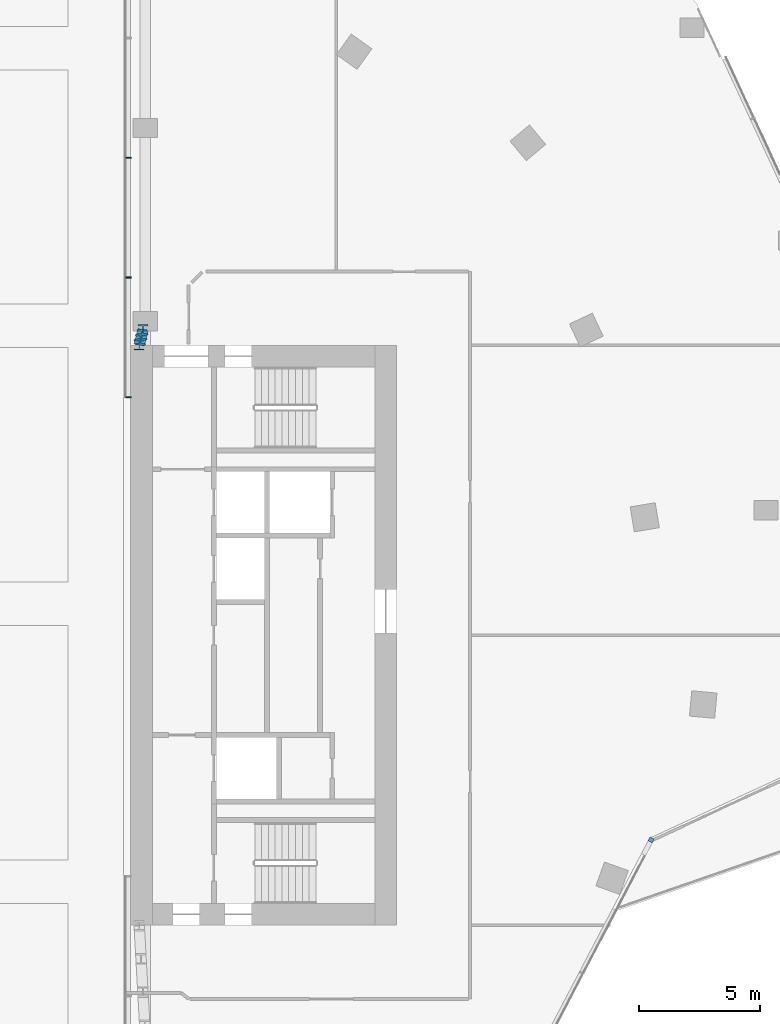
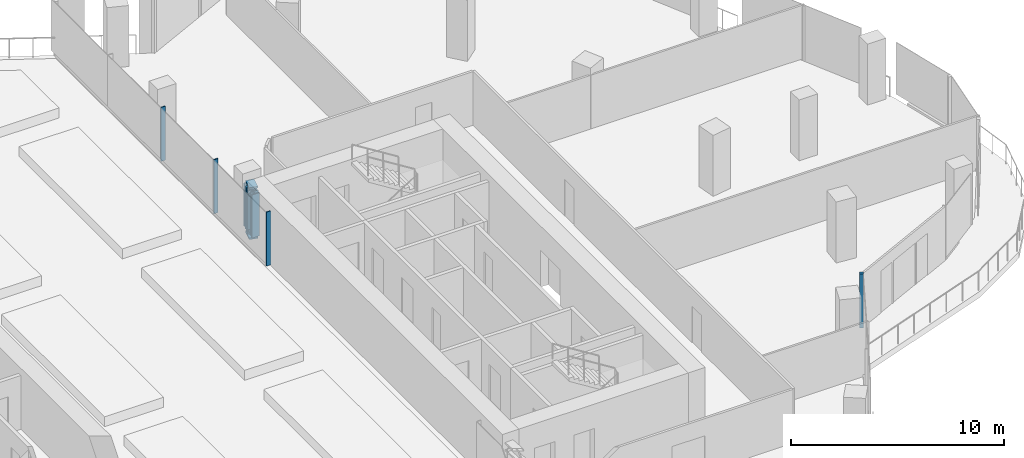
# One storey, part 7 of 26: 10 members, 2 elements without a shape of their own.
"""IFC4 building model written with IfcOpenShell, lengths in metres."""

from ifc_helpers import new_model, si_unit, direction, frame, origin, origin_2d, place, context, subcontext, project, spatial, rectangle, i_section, extrude, material, material_profile, profile_set, type_object, element, aggregate, save


model = new_model("IFC4")

# Units and contexts
model_context = context("Model", 3, precision=1e-05, world=origin(), true_north=direction((0.0, 1.0)))
body_context = subcontext(model_context, "Body", "Model", "MODEL_VIEW")
ifc_project = project(units=[si_unit("LENGTHUNIT", "METRE"), si_unit("AREAUNIT", "SQUARE_METRE"), si_unit("VOLUMEUNIT", "CUBIC_METRE"), si_unit("PLANEANGLEUNIT", "RADIAN"), si_unit("MASSUNIT", "GRAM", prefix="KILO")], contexts=[model_context])

# Site, building, storey
site_placement = place(None, origin())
site = spatial("IfcSite", under=ifc_project, at=site_placement, CompositionType="ELEMENT")
building_placement = place(site_placement, origin())
building = spatial("IfcBuilding", under=site, at=building_placement, Name="Orlundy Tower", CompositionType="ELEMENT")
storey_placement = place(building_placement, frame((0.0, 0.0, 253.5)))
storey = spatial("IfcBuildingStorey", under=building, at=storey_placement, Name="L67", CompositionType="ELEMENT", Elevation=253.5)

# Curtain wall, member
ifc_material_1 = material(Name="Aluminium bronze anodised", Category="aluminium")
curtain_wall_type = type_object("IfcCurtainWallType", Name="CW1 wall", PredefinedType="NOTDEFINED", material=ifc_material_1)
curtain_wall_1_placement = place(storey_placement, origin())
curtain_wall_1 = element("IfcCurtainWall", 1, at=curtain_wall_1_placement, inside=storey, type_object=curtain_wall_type, Name="CW1 run 111", PredefinedType="NOTDEFINED")
ifc_material_2 = material(Name="Aluminium bronze anodised", Category="aluminium")
ifc_material_profile_1 = material_profile(ifc_material_2, rectangle(XDim=0.179931640625, YDim=0.179931640625, at=origin_2d()), Name="CW1 corner post 180x180")
ifc_profile_set_1 = profile_set([ifc_material_profile_1], Name="Aluminium bronze anodised")
member_type_1 = type_object("IfcMemberType", Name="CW1 corner post 180x180", PredefinedType="MULLION", material=ifc_profile_set_1)
member_1_placement = place(storey_placement, frame((29.534423828125, -8.46875, 0.0), z_axis=(0.0, 0.0, 1.0), x_axis=(0.885660617608, -0.464333145939, 0.0)))
member_1 = element("IfcMember", 2, at=member_1_placement, type_object=member_type_1, Name="CW1 mullion 16", PredefinedType="MULLION", context=body_context, shape_type="SweptSolid", body=[
    extrude(rectangle(XDim=0.179931640625, YDim=0.179931640625, at=origin_2d()), origin(), (0.0, 0.0, 1.0), 3.10009765625),
])
aggregate(curtain_wall_1, [member_1])

# Curtain wall, members
curtain_wall_2_placement = place(storey_placement, origin())
curtain_wall_2 = element("IfcCurtainWall", 3, at=curtain_wall_2_placement, inside=storey, type_object=curtain_wall_type, Name="CW1 run 118", PredefinedType="NOTDEFINED")
ifc_material_3 = material(Name="Aluminium bronze anodised", Category="aluminium")
ifc_material_profile_2 = material_profile(ifc_material_3, rectangle(XDim=0.239990234375, YDim=0.050048828125, at=origin_2d()), Name="CW6 mullion 50x240")
ifc_profile_set_2 = profile_set([ifc_material_profile_2], Name="Aluminium bronze anodised")
member_type_2 = type_object("IfcMemberType", Name="CW6 mullion 50x240", PredefinedType="MULLION", material=ifc_profile_set_2)
member_2_placement = place(storey_placement, frame((7.909912109375, 9.8515625, 0.0), z_axis=(0.0, 0.0, 1.0), x_axis=(-1.0, 0.0, 0.0)))
member_2 = element("IfcMember", 4, at=member_2_placement, type_object=member_type_2, Name="CW6 mullion 36", PredefinedType="MULLION", context=body_context, shape_type="SweptSolid", body=[
    extrude(rectangle(XDim=0.239990234375, YDim=0.050048828125, at=origin_2d()), origin(), (0.0, 0.0, 1.0), 3.10009765625),
])
member_3_placement = place(storey_placement, frame((7.909912109375, 14.808349609375, 0.0), z_axis=(0.0, 0.0, 1.0), x_axis=(-1.0, 0.0, 0.0)))
member_3 = element("IfcMember", 5, at=member_3_placement, type_object=member_type_2, Name="CW6 mullion 37", PredefinedType="MULLION", context=body_context, shape_type="SweptSolid", body=[
    extrude(rectangle(XDim=0.239990234375, YDim=0.050048828125, at=origin_2d()), origin(), (0.0, 0.0, 1.0), 3.10009765625),
])
member_4_placement = place(storey_placement, frame((7.909912109375, 19.765380859375, 0.0), z_axis=(0.0, 0.0, 1.0), x_axis=(-1.0, 0.0, 0.0)))
member_4 = element("IfcMember", 6, at=member_4_placement, type_object=member_type_2, Name="CW6 mullion 38", PredefinedType="MULLION", context=body_context, shape_type="SweptSolid", body=[
    extrude(rectangle(XDim=0.239990234375, YDim=0.050048828125, at=origin_2d()), origin(), (0.0, 0.0, 1.0), 3.10009765625),
])
aggregate(curtain_wall_2, [member_2, member_3, member_4])

# Members
ifc_material_4 = material(Name="Steel ASTM A992 Gr 50", Category="steel")
ifc_material_profile_3 = material_profile(ifc_material_4, i_section(OverallWidth=0.43212890625, OverallDepth=0.497802734375, WebThickness=0.0556640625, FlangeThickness=0.0888671875, at=origin_2d()), Name="W14X500")
ifc_profile_set_3 = profile_set([ifc_material_profile_3], Name="Steel ASTM A992 Gr 50")
member_type_3 = type_object("IfcMemberType", Name="PORTAL EDGE TRUSS chord W14X500", PredefinedType="CHORD", material=ifc_profile_set_3)
for number, where, z_axis, x_axis, name in (
    (7, (8.35009765625, 12.02001953125, 0.284912109375), (0.247031311842, 0.969007497891, 0.0), (-0.969007497891, 0.247031311842, 0.0), "Portal edge truss bottom chord PE-EN"),
    (8, (8.35009765625, 12.02001953125, 2.765380859375), (0.247031311842, 0.969007497891, 0.0), (-0.969007497891, 0.247031311842, 0.0), "Portal edge truss top chord PE-EN"),
):
    element("IfcMember", number, at=place(storey_placement, frame(where, z_axis=z_axis, x_axis=x_axis)), inside=storey, type_object=member_type_3, Name=name, PredefinedType="CHORD", context=body_context, shape_type="SweptSolid", body=[
        extrude(i_section(OverallWidth=0.43212890625, OverallDepth=0.497802734375, WebThickness=0.0556640625, FlangeThickness=0.0888671875, at=origin_2d()), origin(), (0.0, 0.0, 1.0), 0.6513671875),
    ])
ifc_material_5 = material(Name="Steel ASTM A992 Gr 50", Category="steel")
ifc_material_profile_4 = material_profile(ifc_material_5, i_section(OverallWidth=0.412109375, OverallDepth=0.434814453125, WebThickness=0.035888671875, FlangeThickness=0.057373046875, at=origin_2d()), Name="W14X311")
ifc_profile_set_4 = profile_set([ifc_material_profile_4], Name="Steel ASTM A992 Gr 50")
member_type_4 = type_object("IfcMemberType", Name="PORTAL EDGE TRUSS post W14X311", PredefinedType="POST", material=ifc_profile_set_4)
for number, where, z_axis, x_axis, name in (
    (9, (8.35009765625, 12.02001953125, 0.284912109375), (0.0, 0.0, 1.0), (1.0, 0.0, 0.0), "Portal edge truss post PE-EN-0"),
    (10, (8.40380859375, 12.23046875, 0.284912109375), (0.0, 0.0, 1.0), (1.0, 0.0, 0.0), "Portal edge truss post PE-EN-1"),
    (11, (8.457275390625, 12.44091796875, 0.284912109375), (0.0, 0.0, 1.0), (1.0, 0.0, 0.0), "Portal edge truss post PE-EN-2"),
    (12, (8.510986328125, 12.651123046875, 0.284912109375), (0.0, 0.0, 1.0), (1.0, 0.0, 0.0), "Portal edge truss post PE-EN-3"),
):
    element("IfcMember", number, at=place(storey_placement, frame(where, z_axis=z_axis, x_axis=x_axis)), inside=storey, type_object=member_type_4, Name=name, PredefinedType="POST", context=body_context, shape_type="SweptSolid", body=[
        extrude(i_section(OverallWidth=0.412109375, OverallDepth=0.434814453125, WebThickness=0.035888671875, FlangeThickness=0.057373046875, at=origin_2d()), origin(), (0.0, 0.0, 1.0), 2.48046875),
    ])

save(model, "model.ifc")
